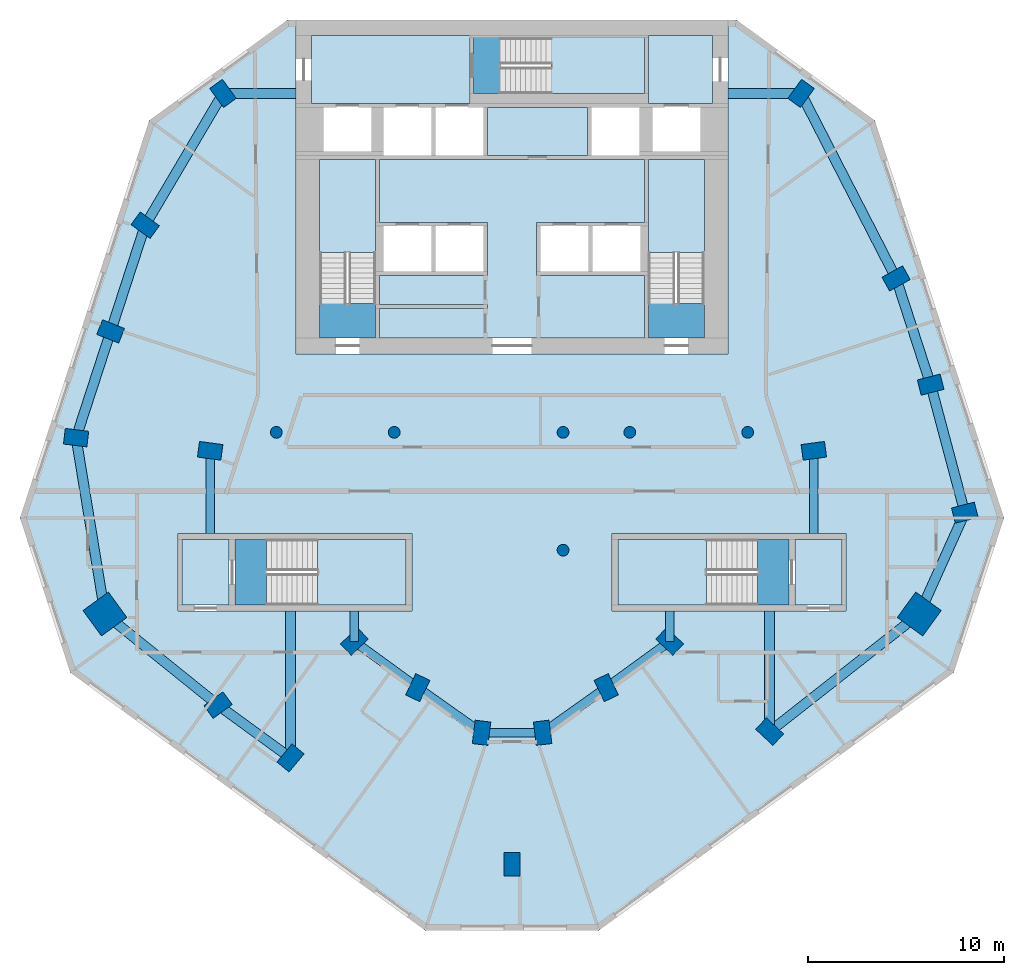
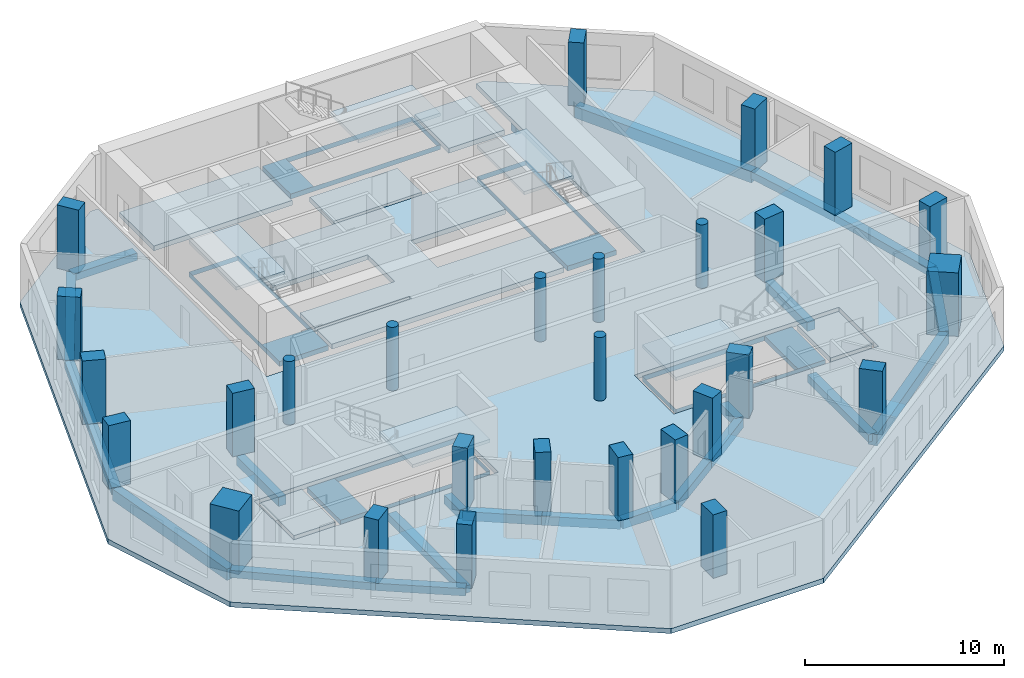
# One storey, part 1 of 9: 28 columns, 24 beams, 17 slabs, 5 elements without a shape of their own.
"""IFC4 building model written with IfcOpenShell, lengths in metres."""

from ifc_helpers import new_model, si_unit, direction, frame, origin, origin_2d, place, context, subcontext, project, spatial, polyline, rectangle, circle, outline, extrude, material, layer, layer_set, material_profile, profile_set, type_object, element, aggregate, save


model = new_model("IFC4")

# Units and contexts
model_context = context("Model", 3, precision=1e-05, world=origin(), true_north=direction((0.0, 1.0)))
body_context = subcontext(model_context, "Body", "Model", "MODEL_VIEW")
ifc_project = project(units=[si_unit("LENGTHUNIT", "METRE"), si_unit("AREAUNIT", "SQUARE_METRE"), si_unit("VOLUMEUNIT", "CUBIC_METRE"), si_unit("PLANEANGLEUNIT", "RADIAN"), si_unit("MASSUNIT", "GRAM", prefix="KILO")], contexts=[model_context])

# Site, building, storey
site_placement = place(None, origin())
site = spatial("IfcSite", under=ifc_project, at=site_placement, CompositionType="ELEMENT")
building_placement = place(site_placement, origin())
building = spatial("IfcBuilding", under=site, at=building_placement, Name="White Candle Pilgrim Tower", CompositionType="ELEMENT")
storey_placement = place(building_placement, frame((0.0, 0.0, 204.300048828125)))
storey = spatial("IfcBuildingStorey", under=building, at=storey_placement, Name="L47", CompositionType="ELEMENT", Elevation=204.300048828125)

# Columns
ifc_material_1 = material(Name="Concrete C70/85", Category="concrete")
ifc_material_profile_1 = material_profile(ifc_material_1, circle(Radius=0.300048828125, at=origin_2d()), Name="RC-COL D600")
ifc_profile_set_1 = profile_set([ifc_material_profile_1], Name="Concrete C70/85")
column_type_1 = type_object("IfcColumnType", Name="Interior column RC-COL D600 C70/85", PredefinedType="COLUMN", material=ifc_profile_set_1)
for number, where, z_axis, x_axis, name in (
    (1, (58.0, 67.0, 0.0), (0.0, 0.0, 1.0), (1.0, 0.0, 0.0), "L47 column I01"),
    (2, (64.0, 67.0, 0.0), (0.0, 0.0, 1.0), (1.0, 0.0, 0.0), "L47 column I02"),
    (3, (72.60009765625, 61.0, 0.0), (0.0, 0.0, 1.0), (1.0, 0.0, 0.0), "L47 column I03"),
    (4, (72.60009765625, 67.0, 0.0), (0.0, 0.0, 1.0), (1.0, 0.0, 0.0), "L47 column I04"),
    (5, (76.0, 67.0, 0.0), (0.0, 0.0, 1.0), (1.0, 0.0, 0.0), "L47 column I05"),
    (6, (82.0, 67.0, 0.0), (0.0, 0.0, 1.0), (1.0, 0.0, 0.0), "L47 column I06"),
):
    element("IfcColumn", number, at=place(storey_placement, frame(where, z_axis=z_axis, x_axis=x_axis)), inside=storey, type_object=column_type_1, Name=name, PredefinedType="COLUMN", context=body_context, shape_type="SweptSolid", body=[
        extrude(circle(Radius=0.300048828125, at=origin_2d()), origin(), (0.0, 0.0, 1.0), 3.89990234375),
    ])
ifc_material_profile_2 = material_profile(ifc_material_1, rectangle(XDim=1.60009765625, YDim=1.60009765625, at=origin_2d()), Name="RC 1600x1600")
ifc_profile_set_2 = profile_set([ifc_material_profile_2], Name="Concrete C70/85")
column_type_2 = type_object("IfcColumnType", Name="Mega column RC 1600x1600 C70/85", PredefinedType="COLUMN", material=ifc_profile_set_2)
for number, where, z_axis, x_axis, name in (
    (7, (49.27001953125, 57.75, 0.0), (0.0, 0.0, 1.0), (-0.809016994375, -0.587785252292, 0.0), "L47 mega column T01"),
    (8, (90.739990234375, 57.75, 0.0), (0.0, 0.0, 1.0), (0.809016994375, -0.587785252292, 0.0), "L47 mega column T06"),
):
    element("IfcColumn", number, at=place(storey_placement, frame(where, z_axis=z_axis, x_axis=x_axis)), inside=storey, type_object=column_type_2, Name=name, PredefinedType="COLUMN", context=body_context, shape_type="SweptSolid", body=[
        extrude(rectangle(XDim=1.60009765625, YDim=1.60009765625, at=origin_2d()), origin(), (0.0, 0.0, 1.0), 3.89990234375),
    ])
ifc_material_profile_3 = material_profile(ifc_material_1, rectangle(XDim=0.800048828125, YDim=1.199951171875, at=origin_2d()), Name="RC-PR 800x1200")
ifc_profile_set_3 = profile_set([ifc_material_profile_3], Name="Concrete C70/85")
column_type_3 = type_object("IfcColumnType", Name="Perimeter column RC-PR 800x1200 C70/85", PredefinedType="COLUMN", material=ifc_profile_set_3)
for number, where, z_axis, x_axis, name in (
    (9, (55.030029296875, 53.110107421875, 0.0), (0.0, 0.0, 1.0), (-0.58846280644, 0.808524288711, 0.0), "L47 column T02"),
    (10, (58.719970703125, 50.419921875, 0.0), (0.0, 0.0, 1.0), (-0.769310358735, 0.638875239733, 0.0), "L47 column T03"),
    (11, (70.0, 45.0, 0.0), (0.0, 0.0, 1.0), (-1.0, 0.0, 0.0), "L47 column T04"),
    (12, (83.1201171875, 51.760009765625, 0.0), (0.0, 0.0, 1.0), (-0.681998360062, -0.731353701619, 0.0), "L47 column T05"),
    (13, (93.06005859375, 62.909912109375, 0.0), (0.0, 0.0, 1.0), (0.246880623275, -0.969045900797, 0.0), "L47 column T07"),
    (14, (91.320068359375, 69.429931640625, 0.0), (0.0, 0.0, 1.0), (0.246880623275, -0.969045900797, 0.0), "L47 column T08"),
    (15, (89.56005859375, 74.840087890625, 0.0), (0.0, 0.0, 1.0), (0.484809620246, -0.874619707139, 0.0), "L47 column T09"),
    (16, (84.719970703125, 84.260009765625, 0.0), (0.0, 0.0, 1.0), (0.80902725304, -0.587771132193, 0.0), "L47 column T10"),
    (17, (55.280029296875, 84.260009765625, 0.0), (0.0, 0.0, 1.0), (0.80902725304, 0.587771132193, 0.0), "L47 column T11"),
    (18, (51.320068359375, 77.550048828125, 0.0), (0.0, 0.0, 1.0), (0.587107285614, 0.809509132239, 0.0), "L47 column T12"),
    (19, (49.56005859375, 72.139892578125, 0.0), (0.0, 0.0, 1.0), (0.369860269472, 0.929087391512, 0.0), "L47 column T13"),
    (20, (47.800048828125, 66.72998046875, 0.0), (0.0, 0.0, 1.0), (0.121869343405, 0.992546151641, 0.0), "L47 column T14"),
):
    element("IfcColumn", number, at=place(storey_placement, frame(where, z_axis=z_axis, x_axis=x_axis)), inside=storey, type_object=column_type_3, Name=name, PredefinedType="COLUMN", context=body_context, shape_type="SweptSolid", body=[
        extrude(rectangle(XDim=0.800048828125, YDim=1.199951171875, at=origin_2d()), origin(), (0.0, 0.0, 1.0), 3.89990234375),
    ])
ifc_material_profile_4 = material_profile(ifc_material_1, rectangle(XDim=0.800048828125, YDim=1.199951171875, at=origin_2d()), Name="RC-PR 800x1200")
ifc_profile_set_4 = profile_set([ifc_material_profile_4], Name="Concrete C70/85")
column_type_4 = type_object("IfcColumnType", Name="Ring column RC-PR 800x1200 C70/85", PredefinedType="COLUMN", material=ifc_profile_set_4)
for number, where, z_axis, x_axis, name in (
    (21, (61.969970703125, 56.35009765625, 0.0), (0.0, 0.0, 1.0), (-0.689872285383, 0.723931094691, 0.0), "L47 column R01"),
    (22, (65.199951171875, 54.0, 0.0), (0.0, 0.0, 1.0), (-0.901689191761, 0.43238478403, 0.0), "L47 column R02"),
    (23, (68.449951171875, 51.699951171875, 0.0), (0.0, 0.0, 1.0), (-0.992092811428, 0.125506388335, 0.0), "L47 column R03"),
    (24, (71.56005859375, 51.699951171875, 0.0), (0.0, 0.0, 1.0), (-0.992092811428, -0.125506388335, 0.0), "L47 column R04"),
    (25, (74.800048828125, 54.0, 0.0), (0.0, 0.0, 1.0), (-0.901689191761, -0.43238478403, 0.0), "L47 column R05"),
    (26, (78.030029296875, 56.35009765625, 0.0), (0.0, 0.0, 1.0), (-0.689872285383, -0.723931094691, 0.0), "L47 column R06"),
    (27, (85.3701171875, 66.06005859375, 0.0), (0.0, 0.0, 1.0), (0.132602381688, -0.991169313675, 0.0), "L47 column R07"),
    (28, (54.6298828125, 66.06005859375, 0.0), (0.0, 0.0, 1.0), (0.132602381688, 0.991169313675, 0.0), "L47 column R08"),
):
    element("IfcColumn", number, at=place(storey_placement, frame(where, z_axis=z_axis, x_axis=x_axis)), inside=storey, type_object=column_type_4, Name=name, PredefinedType="COLUMN", context=body_context, shape_type="SweptSolid", body=[
        extrude(rectangle(XDim=0.800048828125, YDim=1.199951171875, at=origin_2d()), origin(), (0.0, 0.0, 1.0), 3.89990234375),
    ])

# Beams
ifc_material_2 = material(Name="Concrete C50/60", Category="concrete")
ifc_material_profile_5 = material_profile(ifc_material_2, rectangle(XDim=0.449951171875, YDim=0.550048828125, at=origin_2d()), Name="RC-BM 450x550")
ifc_profile_set_5 = profile_set([ifc_material_profile_5], Name="Concrete C50/60")
beam_type_1 = type_object("IfcBeamType", Name="Ring beam RC-BM 450x550 C50/60", PredefinedType="BEAM", material=ifc_profile_set_5)
beam_1_placement = place(storey_placement, frame((61.969970703125, 56.35009765625, -0.574951171875), z_axis=(0.80861448825, -0.588338855926, 0.0), x_axis=(0.588338855926, 0.80861448825, 0.0)))
element("IfcBeam", 29, at=beam_1_placement, inside=storey, type_object=beam_type_1, Name="L47 ring beam R01", PredefinedType="BEAM", context=body_context, shape_type="SweptSolid", body=[
    extrude(rectangle(XDim=0.449951171875, YDim=0.550048828125, at=origin_2d()), origin(), (0.0, 0.0, 1.0), 3.994384765625),
])
beam_2_placement = place(storey_placement, frame((65.199951171875, 54.0, -0.574951171875), z_axis=(0.816265428953, -0.577677028708, 0.0), x_axis=(0.577677028708, 0.816265428953, 0.0)))
element("IfcBeam", 30, at=beam_2_placement, inside=storey, type_object=beam_type_1, Name="L47 ring beam R02", PredefinedType="BEAM", context=body_context, shape_type="SweptSolid", body=[
    extrude(rectangle(XDim=0.449951171875, YDim=0.550048828125, at=origin_2d()), origin(), (0.0, 0.0, 1.0), 3.9814453125),
])
beam_3_placement = place(storey_placement, frame((68.449951171875, 51.699951171875, -0.574951171875), z_axis=(1.0, 0.0, 0.0), x_axis=(0.0, 1.0, 0.0)))
element("IfcBeam", 31, at=beam_3_placement, inside=storey, type_object=beam_type_1, Name="L47 ring beam R03", PredefinedType="BEAM", context=body_context, shape_type="SweptSolid", body=[
    extrude(rectangle(XDim=0.449951171875, YDim=0.550048828125, at=origin_2d()), origin(), (0.0, 0.0, 1.0), 3.110107421875),
])
beam_4_placement = place(storey_placement, frame((71.56005859375, 51.699951171875, -0.574951171875), z_axis=(0.815423878557, 0.578864317677, 0.0), x_axis=(-0.578864317677, 0.815423878557, 0.0)))
element("IfcBeam", 32, at=beam_4_placement, inside=storey, type_object=beam_type_1, Name="L47 ring beam R04", PredefinedType="BEAM", context=body_context, shape_type="SweptSolid", body=[
    extrude(rectangle(XDim=0.449951171875, YDim=0.550048828125, at=origin_2d()), origin(), (0.0, 0.0, 1.0), 3.973388671875),
])
beam_5_placement = place(storey_placement, frame((74.800048828125, 54.0, -0.574951171875), z_axis=(0.80861448825, 0.588338855926, 0.0), x_axis=(-0.588338855926, 0.80861448825, 0.0)))
element("IfcBeam", 33, at=beam_5_placement, inside=storey, type_object=beam_type_1, Name="L47 ring beam R05", PredefinedType="BEAM", context=body_context, shape_type="SweptSolid", body=[
    extrude(rectangle(XDim=0.449951171875, YDim=0.550048828125, at=origin_2d()), origin(), (0.0, 0.0, 1.0), 3.994384765625),
])
beam_6_placement = place(storey_placement, frame((78.030029296875, 56.35009765625, -0.574951171875), z_axis=(0.0, 1.0, 0.0), x_axis=(-1.0, 0.0, 0.0)))
element("IfcBeam", 34, at=beam_6_placement, inside=storey, type_object=beam_type_1, Name="L47 ring beam R06", PredefinedType="BEAM", context=body_context, shape_type="SweptSolid", body=[
    extrude(rectangle(XDim=0.449951171875, YDim=0.550048828125, at=origin_2d()), origin(), (0.0, 0.0, 1.0), 1.5498046875),
])
for number, where, z_axis, x_axis, name in (
    (35, (85.3701171875, 66.06005859375, -0.574951171875), (0.0, -1.0, 0.0), (1.0, 0.0, 0.0), "L47 ring beam R07"),
    (36, (54.6298828125, 66.06005859375, -0.574951171875), (0.0, -1.0, 0.0), (1.0, 0.0, 0.0), "L47 ring beam R08"),
):
    element("IfcBeam", number, at=place(storey_placement, frame(where, z_axis=z_axis, x_axis=x_axis)), inside=storey, type_object=beam_type_1, Name=name, PredefinedType="BEAM", context=body_context, shape_type="SweptSolid", body=[
        extrude(rectangle(XDim=0.449951171875, YDim=0.550048828125, at=origin_2d()), origin(), (0.0, 0.0, 1.0), 4.2099609375),
    ])
beam_7_placement = place(storey_placement, frame((61.969970703125, 56.35009765625, -0.574951171875), z_axis=(0.0, 1.0, 0.0), x_axis=(-1.0, 0.0, 0.0)))
element("IfcBeam", 37, at=beam_7_placement, inside=storey, type_object=beam_type_1, Name="L47 ring beam R09", PredefinedType="BEAM", context=body_context, shape_type="SweptSolid", body=[
    extrude(rectangle(XDim=0.449951171875, YDim=0.550048828125, at=origin_2d()), origin(), (0.0, 0.0, 1.0), 1.5498046875),
])
ifc_material_profile_6 = material_profile(ifc_material_2, rectangle(XDim=0.5, YDim=0.449951171875, at=origin_2d()), Name="RC-BM 500x450")
ifc_profile_set_6 = profile_set([ifc_material_profile_6], Name="Concrete C50/60")
beam_type_2 = type_object("IfcBeamType", Name="Spandrel beam RC-BM 500x450 C50/60", PredefinedType="BEAM", material=ifc_profile_set_6)
beam_8_placement = place(storey_placement, frame((49.27001953125, 57.75, -0.525146484375), z_axis=(0.778761523917, -0.627320084858, 0.0), x_axis=(0.627320084858, 0.778761523917, 0.0)))
element("IfcBeam", 38, at=beam_8_placement, inside=storey, type_object=beam_type_2, Name="L47 spandrel beam T01", PredefinedType="BEAM", context=body_context, shape_type="SweptSolid", body=[
    extrude(rectangle(XDim=0.5, YDim=0.449951171875, at=origin_2d()), origin(), (0.0, 0.0, 1.0), 7.396484375),
])
beam_9_placement = place(storey_placement, frame((55.030029296875, 53.110107421875, -0.525146484375), z_axis=(0.808048887147, -0.589115435191, 0.0), x_axis=(0.589115435191, 0.808048887147, 0.0)))
element("IfcBeam", 39, at=beam_9_placement, inside=storey, type_object=beam_type_2, Name="L47 spandrel beam T02", PredefinedType="BEAM", context=body_context, shape_type="SweptSolid", body=[
    extrude(rectangle(XDim=0.5, YDim=0.449951171875, at=origin_2d()), origin(), (0.0, 0.0, 1.0), 4.56640625),
])
beam_10_placement = place(storey_placement, frame((58.719970703125, 50.419921875, -0.525146484375), z_axis=(0.0, 1.0, 0.0), x_axis=(-1.0, 0.0, 0.0)))
element("IfcBeam", 40, at=beam_10_placement, inside=storey, type_object=beam_type_2, Name="L47 spandrel beam T03", PredefinedType="BEAM", context=body_context, shape_type="SweptSolid", body=[
    extrude(rectangle(XDim=0.5, YDim=0.449951171875, at=origin_2d()), origin(), (0.0, 0.0, 1.0), 7.47998046875),
])
beam_11_placement = place(storey_placement, frame((83.1201171875, 51.760009765625, -0.525146484375), z_axis=(0.0, 1.0, 0.0), x_axis=(-1.0, 0.0, 0.0)))
element("IfcBeam", 41, at=beam_11_placement, inside=storey, type_object=beam_type_2, Name="L47 spandrel beam T04", PredefinedType="BEAM", context=body_context, shape_type="SweptSolid", body=[
    extrude(rectangle(XDim=0.5, YDim=0.449951171875, at=origin_2d()), origin(), (0.0, 0.0, 1.0), 6.139892578125),
])
beam_12_placement = place(storey_placement, frame((90.739990234375, 57.75, -0.525146484375), z_axis=(0.410086538768, 0.912046616528, 0.0), x_axis=(-0.912046616528, 0.410086538768, 0.0)))
element("IfcBeam", 42, at=beam_12_placement, inside=storey, type_object=beam_type_2, Name="L47 spandrel beam T06", PredefinedType="BEAM", context=body_context, shape_type="SweptSolid", body=[
    extrude(rectangle(XDim=0.5, YDim=0.449951171875, at=origin_2d()), origin(), (0.0, 0.0, 1.0), 5.657470703125),
])
beam_13_placement = place(storey_placement, frame((93.06005859375, 62.909912109375, -0.525146484375), z_axis=(-0.257845040268, 0.966186283907, 0.0), x_axis=(-0.966186283907, -0.257845040268, 0.0)))
element("IfcBeam", 43, at=beam_13_placement, inside=storey, type_object=beam_type_2, Name="L47 spandrel beam T07", PredefinedType="BEAM", context=body_context, shape_type="SweptSolid", body=[
    extrude(rectangle(XDim=0.5, YDim=0.449951171875, at=origin_2d()), origin(), (0.0, 0.0, 1.0), 6.748291015625),
])
beam_14_placement = place(storey_placement, frame((91.320068359375, 69.429931640625, -0.525146484375), z_axis=(-0.309357751297, 0.950945730162, 0.0), x_axis=(-0.950945730162, -0.309357751297, 0.0)))
element("IfcBeam", 44, at=beam_14_placement, inside=storey, type_object=beam_type_2, Name="L47 spandrel beam T08", PredefinedType="BEAM", context=body_context, shape_type="SweptSolid", body=[
    extrude(rectangle(XDim=0.5, YDim=0.449951171875, at=origin_2d()), origin(), (0.0, 0.0, 1.0), 5.689208984375),
])
for number, where, z_axis, x_axis, name in (
    (45, (84.719970703125, 84.260009765625, -0.525146484375), (-1.0, 0.0, 0.0), (0.0, -1.0, 0.0), "L47 spandrel beam T10"),
    (46, (55.280029296875, 84.260009765625, -0.525146484375), (1.0, 0.0, 0.0), (0.0, 1.0, 0.0), "L47 spandrel beam T11"),
):
    element("IfcBeam", number, at=place(storey_placement, frame(where, z_axis=z_axis, x_axis=x_axis)), inside=storey, type_object=beam_type_2, Name=name, PredefinedType="BEAM", context=body_context, shape_type="SweptSolid", body=[
        extrude(rectangle(XDim=0.5, YDim=0.449951171875, at=origin_2d()), origin(), (0.0, 0.0, 1.0), 3.719970703125),
    ])
beam_15_placement = place(storey_placement, frame((55.280029296875, 84.260009765625, -0.525146484375), z_axis=(-0.508252060579, -0.861208362081, 0.0), x_axis=(0.861208362081, -0.508252060579, 0.0)))
element("IfcBeam", 47, at=beam_15_placement, inside=storey, type_object=beam_type_2, Name="L47 spandrel beam T12", PredefinedType="BEAM", context=body_context, shape_type="SweptSolid", body=[
    extrude(rectangle(XDim=0.5, YDim=0.449951171875, at=origin_2d()), origin(), (0.0, 0.0, 1.0), 7.791259765625),
])
beam_16_placement = place(storey_placement, frame((51.320068359375, 77.550048828125, -0.525146484375), z_axis=(-0.309357751297, -0.950945730162, 0.0), x_axis=(0.950945730162, -0.309357751297, 0.0)))
element("IfcBeam", 48, at=beam_16_placement, inside=storey, type_object=beam_type_2, Name="L47 spandrel beam T13", PredefinedType="BEAM", context=body_context, shape_type="SweptSolid", body=[
    extrude(rectangle(XDim=0.5, YDim=0.449951171875, at=origin_2d()), origin(), (0.0, 0.0, 1.0), 5.689208984375),
])
beam_17_placement = place(storey_placement, frame((49.56005859375, 72.139892578125, -0.525146484375), z_axis=(-0.309370375951, -0.950941623068, 0.0), x_axis=(0.950941623068, -0.309370375951, 0.0)))
element("IfcBeam", 49, at=beam_17_placement, inside=storey, type_object=beam_type_2, Name="L47 spandrel beam T14", PredefinedType="BEAM", context=body_context, shape_type="SweptSolid", body=[
    extrude(rectangle(XDim=0.5, YDim=0.449951171875, at=origin_2d()), origin(), (0.0, 0.0, 1.0), 5.68896484375),
])
ifc_material_profile_7 = material_profile(ifc_material_2, rectangle(XDim=0.5, YDim=0.699951171875, at=origin_2d()), Name="RC-BM 500x700")
ifc_profile_set_7 = profile_set([ifc_material_profile_7], Name="Concrete C50/60")
beam_type_3 = type_object("IfcBeamType", Name="Spandrel beam RC-BM 500x700 C50/60", PredefinedType="BEAM", material=ifc_profile_set_7)
beam_18_placement = place(storey_placement, frame((83.1201171875, 51.760009765625, -0.650146484375), z_axis=(0.786170599768, 0.618009537192, 0.0), x_axis=(-0.618009537192, 0.786170599768, 0.0)))
element("IfcBeam", 50, at=beam_18_placement, inside=storey, type_object=beam_type_3, Name="L47 spandrel beam T05", PredefinedType="BEAM", context=body_context, shape_type="SweptSolid", body=[
    extrude(rectangle(XDim=0.5, YDim=0.699951171875, at=origin_2d()), origin(), (0.0, 0.0, 1.0), 9.6923828125),
])
beam_19_placement = place(storey_placement, frame((89.56005859375, 74.840087890625, -0.650146484375), z_axis=(-0.45701618227, 0.889458379658, 0.0), x_axis=(-0.889458379658, -0.45701618227, 0.0)))
element("IfcBeam", 51, at=beam_19_placement, inside=storey, type_object=beam_type_3, Name="L47 spandrel beam T09", PredefinedType="BEAM", context=body_context, shape_type="SweptSolid", body=[
    extrude(rectangle(XDim=0.5, YDim=0.699951171875, at=origin_2d()), origin(), (0.0, 0.0, 1.0), 10.590576171875),
])
beam_20_placement = place(storey_placement, frame((47.800048828125, 66.72998046875, -0.650146484375), z_axis=(0.161544154404, -0.986865485351, 0.0), x_axis=(0.986865485351, 0.161544154404, 0.0)))
element("IfcBeam", 52, at=beam_20_placement, inside=storey, type_object=beam_type_3, Name="L47 spandrel beam T15", PredefinedType="BEAM", context=body_context, shape_type="SweptSolid", body=[
    extrude(rectangle(XDim=0.5, YDim=0.699951171875, at=origin_2d()), origin(), (0.0, 0.0, 1.0), 9.099609375),
])

# Slabs
ifc_material_3 = material(Name="Concrete C40/50", Category="concrete")
ifc_layer_1 = layer(ifc_material_3, 0.300048828125)
ifc_layer_set_1 = layer_set([ifc_layer_1], Name="Core floor slab 300 mm Concrete C40/50")
slab_type_1 = type_object("IfcSlabType", Name="Core floor slab 300 mm Concrete C40/50", PredefinedType="FLOOR", material=ifc_layer_set_1)
slab_1_placement = place(storey_placement, frame((0.0, 0.0, -0.300048828125)))
element("IfcSlab", 53, at=slab_1_placement, inside=storey, type_object=slab_type_1, Name="CF-L47-01", PredefinedType="FLOOR", context=body_context, shape_type="SweptSolid", body=[
    extrude(outline(polyline([(55.60009765625, 58.199951171875), (53.199951171875, 58.199951171875), (53.199951171875, 61.550048828125), (55.60009765625, 61.550048828125), (55.60009765625, 58.199951171875)])), origin(), (0.0, 0.0, 1.0), 0.300048828125),
])
slab_2_placement = place(storey_placement, frame((0.0, 0.0, -0.300048828125)))
element("IfcSlab", 54, at=slab_2_placement, inside=storey, type_object=slab_type_1, Name="CF-L47-02", PredefinedType="FLOOR", context=body_context, shape_type="SweptSolid", body=[
    extrude(outline(polyline([(55.89990234375, 58.199951171875), (55.89990234375, 61.550048828125), (64.60009765625, 61.550048828125), (64.60009765625, 58.199951171875), (55.89990234375, 58.199951171875)]), holes=[polyline([(57.501953125, 61.548095703125), (57.501953125, 58.201904296875), (64.597900390625, 58.201904296875), (64.597900390625, 61.548095703125), (57.501953125, 61.548095703125)])]), origin(), (0.0, 0.0, 1.0), 0.300048828125),
])
slab_3_placement = place(storey_placement, frame((0.0, 0.0, -0.300048828125)))
element("IfcSlab", 55, at=slab_3_placement, inside=storey, type_object=slab_type_1, Name="CF-L47-03", PredefinedType="FLOOR", context=body_context, shape_type="SweptSolid", body=[
    extrude(outline(polyline([(75.39990234375, 58.199951171875), (75.39990234375, 61.550048828125), (84.10009765625, 61.550048828125), (84.10009765625, 58.199951171875), (75.39990234375, 58.199951171875)]), holes=[polyline([(82.498046875, 58.201904296875), (82.498046875, 61.548095703125), (75.402099609375, 61.548095703125), (75.402099609375, 58.201904296875), (82.498046875, 58.201904296875)])]), origin(), (0.0, 0.0, 1.0), 0.300048828125),
])
slab_4_placement = place(storey_placement, frame((0.0, 0.0, -0.300048828125)))
element("IfcSlab", 56, at=slab_4_placement, inside=storey, type_object=slab_type_1, Name="CF-L47-04", PredefinedType="FLOOR", context=body_context, shape_type="SweptSolid", body=[
    extrude(outline(polyline([(86.800048828125, 58.199951171875), (84.39990234375, 58.199951171875), (84.39990234375, 61.550048828125), (86.800048828125, 61.550048828125), (86.800048828125, 58.199951171875)])), origin(), (0.0, 0.0, 1.0), 0.300048828125),
])
slab_5_placement = place(storey_placement, frame((0.0, 0.0, -0.300048828125)))
element("IfcSlab", 57, at=slab_5_placement, inside=storey, type_object=slab_type_1, Name="CF-L47-05", PredefinedType="FLOOR", context=body_context, shape_type="SweptSolid", body=[
    extrude(outline(polyline([(76.949951171875, 71.800048828125), (76.949951171875, 75.0), (76.949951171875, 75.199951171875), (76.949951171875, 77.5), (76.949951171875, 77.699951171875), (76.949951171875, 80.89990234375), (79.800048828125, 80.89990234375), (79.800048828125, 71.800048828125), (76.949951171875, 71.800048828125)]), holes=[polyline([(76.951904296875, 73.552001953125), (79.798095703125, 73.552001953125), (79.798095703125, 80.89794921875), (76.951904296875, 80.89794921875), (76.951904296875, 73.552001953125)])]), origin(), (0.0, 0.0, 1.0), 0.300048828125),
])
slab_6_placement = place(storey_placement, frame((0.0, 0.0, -0.300048828125)))
element("IfcSlab", 58, at=slab_6_placement, inside=storey, type_object=slab_type_1, Name="CF-L47-06", PredefinedType="FLOOR", context=body_context, shape_type="SweptSolid", body=[
    extrude(outline(polyline([(63.25, 71.800048828125), (63.25, 73.300048828125), (68.75, 73.300048828125), (68.75, 73.5), (63.25, 73.5), (63.25, 75.0), (68.75, 75.0), (68.75, 75.199951171875), (68.75, 77.5), (68.75, 77.699951171875), (63.25, 77.699951171875), (63.25, 80.89990234375), (76.75, 80.89990234375), (76.75, 77.699951171875), (71.25, 77.699951171875), (71.25, 77.5), (71.25, 75.199951171875), (71.25, 75.0), (76.75, 75.0), (76.75, 71.800048828125), (63.25, 71.800048828125)])), origin(), (0.0, 0.0, 1.0), 0.300048828125),
])
slab_7_placement = place(storey_placement, frame((0.0, 0.0, -0.300048828125)))
element("IfcSlab", 59, at=slab_7_placement, inside=storey, type_object=slab_type_1, Name="CF-L47-07", PredefinedType="FLOOR", context=body_context, shape_type="SweptSolid", body=[
    extrude(outline(polyline([(60.199951171875, 71.800048828125), (60.199951171875, 80.89990234375), (63.050048828125, 80.89990234375), (63.050048828125, 77.699951171875), (63.050048828125, 77.5), (63.050048828125, 75.199951171875), (63.050048828125, 75.0), (63.050048828125, 73.5), (63.050048828125, 73.300048828125), (63.050048828125, 71.800048828125), (60.199951171875, 71.800048828125)]), holes=[polyline([(60.201904296875, 73.552001953125), (63.048095703125, 73.552001953125), (63.048095703125, 80.89794921875), (60.201904296875, 80.89794921875), (60.201904296875, 73.552001953125)])]), origin(), (0.0, 0.0, 1.0), 0.300048828125),
])
slab_8_placement = place(storey_placement, frame((0.0, 0.0, -0.300048828125)))
element("IfcSlab", 60, at=slab_8_placement, inside=storey, type_object=slab_type_1, Name="CF-L47-08", PredefinedType="FLOOR", context=body_context, shape_type="SweptSolid", body=[
    extrude(outline(polyline([(59.800048828125, 87.199951171875), (67.85009765625, 87.199951171875), (67.85009765625, 87.10009765625), (67.85009765625, 84.25), (67.85009765625, 83.75), (59.800048828125, 83.75), (59.800048828125, 87.199951171875)])), origin(), (0.0, 0.0, 1.0), 0.300048828125),
])
slab_9_placement = place(storey_placement, frame((0.0, 0.0, -0.300048828125)))
element("IfcSlab", 61, at=slab_9_placement, inside=storey, type_object=slab_type_1, Name="CF-L47-09", PredefinedType="FLOOR", context=body_context, shape_type="SweptSolid", body=[
    extrude(outline(polyline([(80.199951171875, 87.199951171875), (80.199951171875, 83.75), (76.949951171875, 83.75), (76.949951171875, 84.25), (76.949951171875, 87.10009765625), (76.949951171875, 87.199951171875), (80.199951171875, 87.199951171875)])), origin(), (0.0, 0.0, 1.0), 0.300048828125),
])
slab_10_placement = place(storey_placement, frame((0.0, 0.0, -0.300048828125)))
element("IfcSlab", 62, at=slab_10_placement, inside=storey, type_object=slab_type_1, Name="CF-L47-10", PredefinedType="FLOOR", context=body_context, shape_type="SweptSolid", body=[
    extrude(outline(polyline([(68.050048828125, 87.10009765625), (76.75, 87.10009765625), (76.75, 84.25), (68.050048828125, 84.25), (68.050048828125, 87.10009765625)]), holes=[polyline([(69.402099609375, 87.097900390625), (69.402099609375, 84.251953125), (76.748046875, 84.251953125), (76.748046875, 87.097900390625), (69.402099609375, 87.097900390625)])]), origin(), (0.0, 0.0, 1.0), 0.300048828125),
])
slab_11_placement = place(storey_placement, frame((0.0, 0.0, -0.300048828125)))
element("IfcSlab", 63, at=slab_11_placement, inside=storey, type_object=slab_type_1, Name="CF-L47-11", PredefinedType="FLOOR", context=body_context, shape_type="SweptSolid", body=[
    extrude(outline(polyline([(73.85009765625, 83.550048828125), (73.85009765625, 81.10009765625), (68.75, 81.10009765625), (68.75, 83.550048828125), (73.85009765625, 83.550048828125)])), origin(), (0.0, 0.0, 1.0), 0.300048828125),
])
ifc_layer_2 = layer(ifc_material_3, 0.300048828125)
ifc_layer_set_2 = layer_set([ifc_layer_2], Name="Floor slab 300 REI 240")
slab_type_2 = type_object("IfcSlabType", Name="Floor slab 300 REI 240", PredefinedType="FLOOR", material=ifc_layer_set_2)
slab_12_placement = place(storey_placement, frame((0.0, 0.0, -0.300048828125)))
element("IfcSlab", 64, at=slab_12_placement, inside=storey, type_object=slab_type_2, Name="L47 floor slab", PredefinedType="FLOOR", context=body_context, shape_type="SweptSolid", body=[
    extrude(outline(polyline([(65.5703125, 41.64111328125), (74.4296875, 41.64111328125), (92.4970703125, 54.767822265625), (95.055419921875, 62.6416015625), (88.478271484375, 82.88427734375), (81.43701171875, 88.0), (81.0, 88.0), (81.0, 71.0), (59.0, 71.0), (59.0, 88.0), (58.56298828125, 88.0), (51.521728515625, 82.88427734375), (44.944580078125, 62.6416015625), (47.5029296875, 54.767822265625), (65.5703125, 41.64111328125)]), holes=[polyline([(53.0, 57.89990234375), (53.0, 61.85009765625), (64.89990234375, 61.85009765625), (64.89990234375, 57.89990234375), (53.0, 57.89990234375)]), polyline([(75.10009765625, 57.89990234375), (75.10009765625, 61.85009765625), (87.0, 61.85009765625), (87.0, 57.89990234375), (75.10009765625, 57.89990234375)])]), origin(), (0.0, 0.0, 1.0), 0.300048828125),
])

# Stair, slab
stair_type_1 = type_object("IfcStairType", Name="Exit stair 1 flight width 1350 mm", PredefinedType="HALF_TURN_STAIR", material=ifc_material_3)
stair_1_placement = place(storey_placement, origin())
stair_1 = element("IfcStair", 65, at=stair_1_placement, inside=storey, type_object=stair_type_1, Name="L47 stair 1", PredefinedType="NOTDEFINED")
ifc_layer_3 = layer(ifc_material_3, 0.199951171875)
ifc_layer_set_3 = layer_set([ifc_layer_3], Name="Stair landing Concrete C40/50")
slab_type_3 = type_object("IfcSlabType", Name="Stair landing Concrete C40/50", PredefinedType="LANDING", material=ifc_layer_set_3)
slab_13_placement = place(storey_placement, frame((0.0, 0.0, 1.75)))
slab_13 = element("IfcSlab", 66, at=slab_13_placement, type_object=slab_type_3, Name="ST1 landing 1", PredefinedType="LANDING", context=body_context, shape_type="SweptSolid", body=[
    extrude(outline(polyline([(63.052001953125, 76.14794921875), (60.197998046875, 76.14794921875), (60.197998046875, 80.902099609375), (63.052001953125, 80.902099609375), (63.052001953125, 76.14794921875)])), origin(), (0.0, 0.0, 1.0), 0.199951171875),
])
aggregate(stair_1, [slab_13])

stair_type_2 = type_object("IfcStairType", Name="Exit stair 2 flight width 1350 mm", PredefinedType="HALF_TURN_STAIR", material=ifc_material_3)
stair_2_placement = place(storey_placement, origin())
stair_2 = element("IfcStair", 67, at=stair_2_placement, inside=storey, type_object=stair_type_2, Name="L47 stair 2", PredefinedType="NOTDEFINED")
slab_14_placement = place(storey_placement, frame((0.0, 0.0, 1.75)))
slab_14 = element("IfcSlab", 68, at=slab_14_placement, type_object=slab_type_3, Name="ST2 landing 1", PredefinedType="LANDING", context=body_context, shape_type="SweptSolid", body=[
    extrude(outline(polyline([(79.802001953125, 76.14794921875), (76.947998046875, 76.14794921875), (76.947998046875, 80.902099609375), (79.802001953125, 80.902099609375), (79.802001953125, 76.14794921875)])), origin(), (0.0, 0.0, 1.0), 0.199951171875),
])
aggregate(stair_2, [slab_14])

stair_type_3 = type_object("IfcStairType", Name="Exit stair 3 flight width 1350 mm", PredefinedType="HALF_TURN_STAIR", material=ifc_material_3)
stair_3_placement = place(storey_placement, origin())
stair_3 = element("IfcStair", 69, at=stair_3_placement, inside=storey, type_object=stair_type_3, Name="L47 stair 3", PredefinedType="NOTDEFINED")
slab_15_placement = place(storey_placement, frame((0.0, 0.0, 1.75)))
slab_15 = element("IfcSlab", 70, at=slab_15_placement, type_object=slab_type_3, Name="ST3 landing 1", PredefinedType="LANDING", context=body_context, shape_type="SweptSolid", body=[
    extrude(outline(polyline([(71.998046875, 84.248046875), (71.998046875, 87.10205078125), (76.751953125, 87.10205078125), (76.751953125, 84.248046875), (71.998046875, 84.248046875)])), origin(), (0.0, 0.0, 1.0), 0.199951171875),
])
aggregate(stair_3, [slab_15])

stair_type_4 = type_object("IfcStairType", Name="Exit stair 4 flight width 1600 mm", PredefinedType="HALF_TURN_STAIR", material=ifc_material_3)
stair_4_placement = place(storey_placement, origin())
stair_4 = element("IfcStair", 71, at=stair_4_placement, inside=storey, type_object=stair_type_4, Name="L47 stair 4", PredefinedType="NOTDEFINED")
slab_16_placement = place(storey_placement, frame((0.0, 0.0, 1.75)))
slab_16 = element("IfcSlab", 72, at=slab_16_placement, type_object=slab_type_3, Name="ST4 landing 1", PredefinedType="LANDING", context=body_context, shape_type="SweptSolid", body=[
    extrude(outline(polyline([(79.902099609375, 61.552001953125), (79.902099609375, 58.197998046875), (75.39794921875, 58.197998046875), (75.39794921875, 61.552001953125), (79.902099609375, 61.552001953125)])), origin(), (0.0, 0.0, 1.0), 0.199951171875),
])
aggregate(stair_4, [slab_16])

stair_type_5 = type_object("IfcStairType", Name="Exit stair 5 flight width 1600 mm", PredefinedType="HALF_TURN_STAIR", material=ifc_material_3)
stair_5_placement = place(storey_placement, origin())
stair_5 = element("IfcStair", 73, at=stair_5_placement, inside=storey, type_object=stair_type_5, Name="L47 stair 5", PredefinedType="NOTDEFINED")
slab_17_placement = place(storey_placement, frame((0.0, 0.0, 1.75)))
slab_17 = element("IfcSlab", 74, at=slab_17_placement, type_object=slab_type_3, Name="ST5 landing 1", PredefinedType="LANDING", context=body_context, shape_type="SweptSolid", body=[
    extrude(outline(polyline([(60.097900390625, 58.197998046875), (60.097900390625, 61.552001953125), (64.60205078125, 61.552001953125), (64.60205078125, 58.197998046875), (60.097900390625, 58.197998046875)])), origin(), (0.0, 0.0, 1.0), 0.199951171875),
])
aggregate(stair_5, [slab_17])

save(model, "model.ifc")
